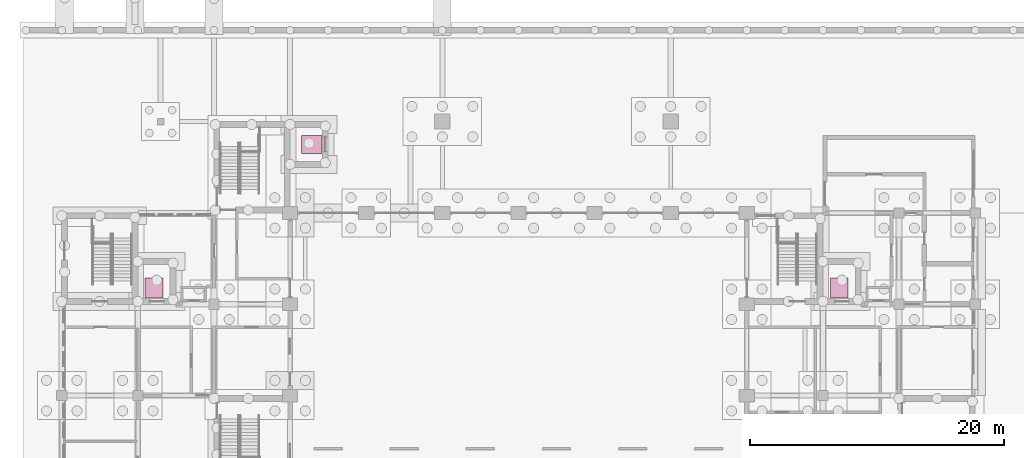
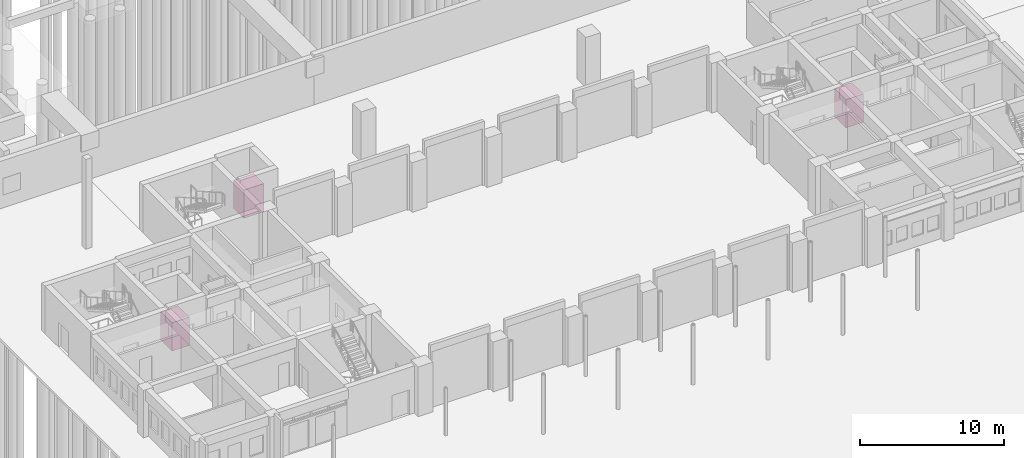
# One storey, part 37 of 37: 3 transport elements.
"""IFC4 building model written with IfcOpenShell, lengths in metres."""

import ifcopenshell
import ifcopenshell.guid

model = None  # the IFC model being written
_history = None  # IfcOwnerHistory: only IFC2X3 demands one
_inside = {}  # id of a spatial element -> (the spatial element, [elements in it])
_under = {}  # id of a project, library or spatial element -> (it, [spatial elements below it])
_declared = {}  # id of a project -> (the project, [libraries it declares])
_typed = {}  # id of a type object -> (the type object, [elements of that type])
_made_of = {}  # id of a material, layer set ... -> (it, [elements and type objects made of it])


def new_model(schema):
    """Start an empty IFC model of exactly this schema.

    Asked for "IFC4X3", IfcOpenShell would pick the latest addendum, in which some entities
    have other attributes; the version numbers below select the first issue.
    IFC2X3 requires an IfcOwnerHistory on every rooted entity: one is made here for all.
    """
    global model, _history
    if schema == "IFC4X3":
        model = ifcopenshell.file(schema_version=(4, 3, 0, 0))
    else:
        model = ifcopenshell.file(schema=schema)
    _inside.clear()
    _under.clear()
    _declared.clear()
    _typed.clear()
    _made_of.clear()
    _history = None
    if model.schema == "IFC2X3":
        org = make("IfcOrganization", Name="unknown")
        user = make(
            "IfcPersonAndOrganization",
            ThePerson=make("IfcPerson", FamilyName="unknown"),
            TheOrganization=org,
        )
        app = make(
            "IfcApplication",
            ApplicationDeveloper=org,
            Version="unknown",
            ApplicationFullName="unknown",
            ApplicationIdentifier="unknown",
        )
        _history = make(
            "IfcOwnerHistory",
            OwningUser=user,
            OwningApplication=app,
            ChangeAction="ADDED",
            CreationDate=0,
        )
    return model


def make(cls, **values):
    """One entity of the class cls with the attributes given. An attribute that is None is left unset."""
    return model.create_entity(
        cls, **{name: value for name, value in values.items() if value is not None}
    )


def rooted(cls, **values):
    """An entity with a GlobalId (a new one), such as an element, a storey or a relation."""
    return make(cls, GlobalId=ifcopenshell.guid.new(), OwnerHistory=_history, **values)


def si_unit(unit_type, name, prefix=None):
    """IfcSIUnit, for example si_unit("LENGTHUNIT", "METRE", prefix="MILLI")."""
    return make("IfcSIUnit", UnitType=unit_type, Prefix=prefix, Name=name)


def assignment(units):
    """IfcUnitAssignment: the units of a project."""
    return None if units is None else make("IfcUnitAssignment", Units=units)


def point(xyz):
    """IfcCartesianPoint."""
    return None if xyz is None else make("IfcCartesianPoint", Coordinates=xyz)


def direction(xyz):
    """IfcDirection."""
    return None if xyz is None else make("IfcDirection", DirectionRatios=xyz)


def frame(location, z_axis=None, x_axis=None):
    """IfcAxis2Placement3D, a coordinate frame: its origin and axes. An axis left out is left unset."""
    return make(
        "IfcAxis2Placement3D",
        Location=point(location),
        Axis=direction(z_axis),
        RefDirection=direction(x_axis),
    )


def frame_2d(location, x_axis=None):
    """IfcAxis2Placement2D, a coordinate frame in the plane: its origin and x axis."""
    return make(
        "IfcAxis2Placement2D", Location=point(location), RefDirection=direction(x_axis)
    )


def origin():
    """The frame at (0, 0, 0) with its axes left unset."""
    return frame((0.0, 0.0, 0.0))


def origin_2d():
    """The frame at (0, 0) in the plane with its x axis left unset."""
    return frame_2d((0.0, 0.0))


def place(relative_to, where):
    """IfcLocalPlacement: puts the frame where relative to a parent placement (None: the world)."""
    return make(
        "IfcLocalPlacement", PlacementRelTo=relative_to, RelativePlacement=where
    )


def context(
    kind, dimensions, precision=None, world=None, true_north=None, identifier=None
):
    """IfcGeometricRepresentationContext, for example the 3D "Model" context."""
    return make(
        "IfcGeometricRepresentationContext",
        ContextIdentifier=identifier,
        ContextType=kind,
        CoordinateSpaceDimension=dimensions,
        Precision=precision,
        WorldCoordinateSystem=world,
        TrueNorth=true_north,
    )


def subcontext(parent, identifier, kind, view, scale=None):
    """IfcGeometricRepresentationSubContext, for example "Body" below "Model"."""
    return make(
        "IfcGeometricRepresentationSubContext",
        ContextIdentifier=identifier,
        ContextType=kind,
        ParentContext=parent,
        TargetScale=scale,
        TargetView=view,
    )


def project(units=None, contexts=None):
    """IfcProject with its units and contexts."""
    return rooted(
        "IfcProject",
        Name="project",
        RepresentationContexts=contexts,
        UnitsInContext=assignment(units),
    )


def spatial(cls, under=None, at=None, **own):
    """A site, building, storey or space (cls), placed at a placement, below another one or the project."""
    s = rooted(cls, ObjectPlacement=at, **own)
    if under is not None:
        _under.setdefault(under.id(), (under, []))[1].append(s)
    return s


def profile(cls, at=None, kind="AREA", **sizes):
    """A parametric profile (cls). Its sizes go by their IFC names, for example OverallWidth=200.0."""
    return make(cls, ProfileType=kind, Position=at, **sizes)


def rectangle(**sizes):
    """IfcRectangleProfileDef."""
    return profile("IfcRectangleProfileDef", **sizes)


def extrude(swept, where, along, depth):
    """IfcExtrudedAreaSolid: the profile swept, set in the frame where, extruded along a direction by depth."""
    return make(
        "IfcExtrudedAreaSolid",
        SweptArea=swept,
        Position=where,
        ExtrudedDirection=direction(along),
        Depth=depth,
    )


def shape(context_of_items, identifier, shape_type, items):
    """IfcShapeRepresentation: the items that make up one representation, for example the "Body"."""
    return make(
        "IfcShapeRepresentation",
        ContextOfItems=context_of_items,
        RepresentationIdentifier=identifier,
        RepresentationType=shape_type,
        Items=items,
    )


def material(Name=None, Category=None):
    """IfcMaterial."""
    return make("IfcMaterial", Name=Name, Category=Category)


def made_of(thing, what):
    """Note that an element or type object is made of a material, layer set ...; save() writes the relation."""
    if what is not None:
        _made_of.setdefault(what.id(), (what, []))[1].append(thing)
    return thing


def type_object(cls, material=None, **own):
    """A type object (cls), such as IfcWallType, which elements share."""
    return made_of(rooted(cls, **own), material)


def element(
    cls,
    number,
    at=None,
    inside=None,
    cuts=None,
    type_object=None,
    material=None,
    context=None,
    identifier="Body",
    shape_type=None,
    held_by="IfcProductDefinitionShape",
    body=None,
    shapes=None,
    **own,
):
    """One element of the class cls, such as IfcWall. Its Tag is "e" and its number.

    at: its placement. inside: the storey or other place that contains it. cuts: it is an
    opening in that element (IfcRelVoidsElement). A single representation is given by context,
    identifier, shape_type and body (its items); several are given by shapes. held_by: the class
    of the entity that holds the representations. save() writes the other relations.
    """
    e = rooted(cls, Tag="e%d" % number, ObjectPlacement=at, **own)
    if body is not None:
        shapes = [shape(context, identifier, shape_type, body)]
    if shapes is not None:
        e.Representation = make(held_by, Representations=shapes)
    if inside is not None:
        _inside.setdefault(inside.id(), (inside, []))[1].append(e)
    if cuts is not None:
        rooted(
            "IfcRelVoidsElement", RelatingBuildingElement=cuts, RelatedOpeningElement=e
        )
    if type_object is not None:
        _typed.setdefault(type_object.id(), (type_object, []))[1].append(e)
    return made_of(e, material)


def aggregate(whole, parts):
    """IfcRelAggregates: a whole, such as a stair, and the parts it consists of."""
    return rooted("IfcRelAggregates", RelatingObject=whole, RelatedObjects=parts)


def save(model, path):
    """Write the relations noted so far, then the file.

    IfcRelAggregates (storeys below a building ...), IfcRelContainedInSpatialStructure (elements
    in a storey), IfcRelDefinesByType, IfcRelAssociatesMaterial and IfcRelDeclares: one each for
    every whole, place, type object, material and project.
    """
    for whole, parts in _under.values():
        aggregate(whole, parts)
    for where, things in _inside.values():
        rooted(
            "IfcRelContainedInSpatialStructure",
            RelatedElements=things,
            RelatingStructure=where,
        )
    for kind, things in _typed.values():
        rooted("IfcRelDefinesByType", RelatedObjects=things, RelatingType=kind)
    for what, things in _made_of.values():
        rooted("IfcRelAssociatesMaterial", RelatedObjects=things, RelatingMaterial=what)
    for by, libraries in _declared.values():
        rooted("IfcRelDeclares", RelatingContext=by, RelatedDefinitions=libraries)
    model.write(path)


model = new_model("IFC4")

# Units and contexts
model_context = context("Model", 3, precision=1e-05, world=origin(), true_north=direction((0.0, 1.0)))
body_context = subcontext(model_context, "Body", "Model", "MODEL_VIEW")
ifc_project = project(units=[si_unit("LENGTHUNIT", "METRE"), si_unit("AREAUNIT", "SQUARE_METRE"), si_unit("VOLUMEUNIT", "CUBIC_METRE"), si_unit("PLANEANGLEUNIT", "RADIAN"), si_unit("MASSUNIT", "GRAM", prefix="KILO")], contexts=[model_context])

# Site, building, storey
site_placement = place(None, origin())
site = spatial("IfcSite", under=ifc_project, at=site_placement, CompositionType="ELEMENT")
building_placement = place(site_placement, origin())
building = spatial("IfcBuilding", under=site, at=building_placement, Name="Laocheng Heights Fire and Rescue Headquarters", CompositionType="ELEMENT")
storey_placement = place(building_placement, origin())
storey = spatial("IfcBuildingStorey", under=building, at=storey_placement, Name="L00", CompositionType="ELEMENT", Elevation=0.0)

# Transport elements
ifc_material = material(Name="Stainless steel and glass", Category="steel")
transport_element_type = type_object("IfcTransportElementType", Name="PASSENGER LIFT 1350 KG 1400x1600", PredefinedType="ELEVATOR", material=ifc_material)
for number, where, z_axis, x_axis, name in (
    (1, (7.27490234375, 15.68994140625, 0.0), (0.0, 0.0, 1.0), (1.0, 0.0, 0.0), "W-L1"),
    (2, (61.27490234375, 15.68994140625, 0.0), (0.0, 0.0, 1.0), (1.0, 0.0, 0.0), "E-L1"),
):
    element("IfcTransportElement", number, at=place(storey_placement, frame(where, z_axis=z_axis, x_axis=x_axis)), inside=storey, type_object=transport_element_type, Name=name, PredefinedType="ELEVATOR", context=body_context, shape_type="SweptSolid", body=[
        extrude(rectangle(XDim=1.39990234375, YDim=1.60009765625, at=origin_2d()), origin(), (0.0, 0.0, 1.0), 2.39990234375),
    ])
transport_element_placement = place(storey_placement, frame((19.7099609375, 27.0, 0.0), z_axis=(0.0, 0.0, 1.0), x_axis=(1.0, 0.0, 0.0)))
element("IfcTransportElement", 3, at=transport_element_placement, inside=storey, type_object=transport_element_type, Name="G-L1", PredefinedType="ELEVATOR", context=body_context, shape_type="SweptSolid", body=[
    extrude(rectangle(XDim=1.60009765625, YDim=1.39990234375, at=origin_2d()), origin(), (0.0, 0.0, 1.0), 2.39990234375),
])

save(model, "model.ifc")
